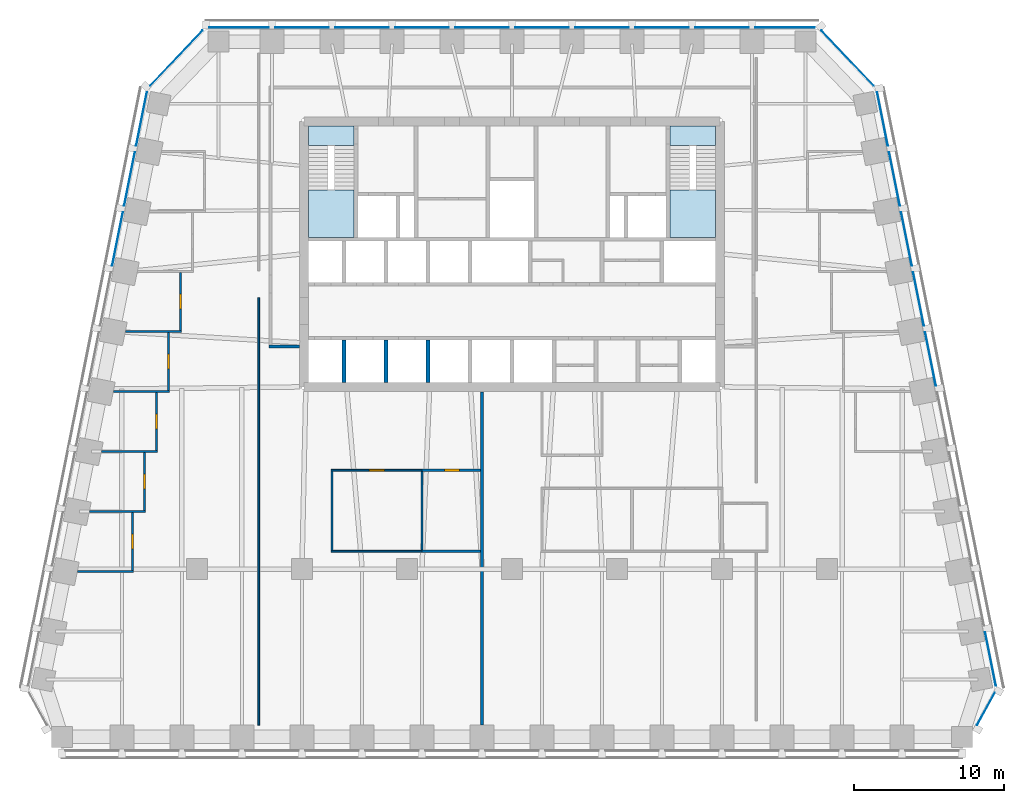
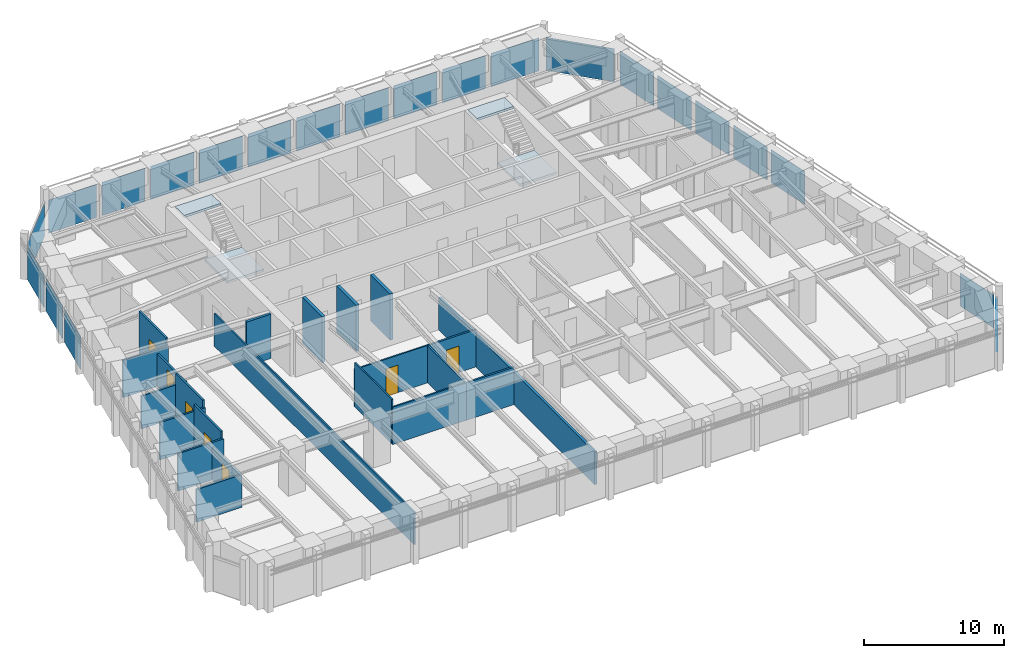
# One storey, part 5 of 10: 22 plates, 22 walls, 7 doors, 4 slabs, 7 openings, 8 elements without a shape of their own.
"""IFC4 building model written with IfcOpenShell, lengths in metres."""

from ifc_helpers import new_model, si_unit, direction, frame, frame_2d, origin, origin_2d, place, context, subcontext, project, spatial, polyline, rectangle, outline, extrude, material, layer, layer_set, type_object, element, fill, aggregate, save


model = new_model("IFC4")

# Units and contexts
model_context = context("Model", 3, precision=1e-05, world=origin(), true_north=direction((0.0, 1.0)))
body_context = subcontext(model_context, "Body", "Model", "MODEL_VIEW")
ifc_project = project(units=[si_unit("LENGTHUNIT", "METRE"), si_unit("AREAUNIT", "SQUARE_METRE"), si_unit("VOLUMEUNIT", "CUBIC_METRE"), si_unit("PLANEANGLEUNIT", "RADIAN"), si_unit("MASSUNIT", "GRAM", prefix="KILO")], contexts=[model_context])

# Site, building, storey
site_placement = place(None, origin())
site = spatial("IfcSite", under=ifc_project, at=site_placement, CompositionType="ELEMENT")
building_placement = place(site_placement, origin())
building = spatial("IfcBuilding", under=site, at=building_placement, Name="Isbrekke Arena Tower", CompositionType="ELEMENT")
storey_placement = place(building_placement, frame((0.0, 0.0, 194.0)))
storey = spatial("IfcBuildingStorey", under=building, at=storey_placement, Name="L44", CompositionType="ELEMENT", Elevation=194.0)

# Curtain wall, plate
ifc_material_1 = material(Name="Glazed aluminium curtain wall", Category="aluminium")
curtain_wall_type = type_object("IfcCurtainWallType", Name="CWH TOWER CURTAIN WALL HIGH ZONE", PredefinedType="USERDEFINED", material=ifc_material_1)
curtain_wall_1_placement = place(storey_placement, origin())
curtain_wall_1 = element("IfcCurtainWall", 1, at=curtain_wall_1_placement, inside=storey, type_object=curtain_wall_type, Name="CWH curtain wall L44-SE", ObjectType="TOWER CURTAIN WALL HIGH ZONE", PredefinedType="USERDEFINED")
ifc_material_2 = material(Name="Triple-glazed clear glass unit", Category="glass")
ifc_layer_1 = layer(ifc_material_2, 0.031982421875)
ifc_layer_set_1 = layer_set([ifc_layer_1], Name="CWH-P VISION PANEL")
plate_type = type_object("IfcPlateType", Name="CWH-P VISION PANEL", PredefinedType="CURTAIN_PANEL", material=ifc_layer_set_1)
plate_1_placement = place(storey_placement, frame((31.5908203125, -15.3154296875, 0.02001953125), z_axis=(0.0, 0.0, 1.0), x_axis=(0.481918749773, 0.876215908676, 0.0)))
plate_1 = element("IfcPlate", 2, at=plate_1_placement, type_object=plate_type, Name="CWH-P panel 1", PredefinedType="CURTAIN_PANEL", context=body_context, shape_type="SweptSolid", body=[
    extrude(rectangle(XDim=2.4423828125, YDim=0.031982421875, at=origin_2d()), origin(), (0.0, 0.0, 1.0), 2.8798828125),
])
aggregate(curtain_wall_1, [plate_1])

# Curtain wall, plates
curtain_wall_2_placement = place(storey_placement, origin())
curtain_wall_2 = element("IfcCurtainWall", 3, at=curtain_wall_2_placement, inside=storey, type_object=curtain_wall_type, Name="CWH curtain wall L44-E", ObjectType="TOWER CURTAIN WALL HIGH ZONE", PredefinedType="USERDEFINED")
plate_2_placement = place(storey_placement, frame((31.89794921875, -11.98046875, 0.02001953125), z_axis=(0.0, 0.0, 1.0), x_axis=(-0.196116135138, 0.980580675691, 0.0)))
plate_2 = element("IfcPlate", 4, at=plate_2_placement, type_object=plate_type, Name="CWH-P panel 1", PredefinedType="CURTAIN_PANEL", context=body_context, shape_type="SweptSolid", body=[
    extrude(rectangle(XDim=3.629150390625, YDim=0.031982421875, at=origin_2d()), origin(), (0.0, 0.0, 1.0), 2.8798828125),
])
plate_3_placement = place(storey_placement, frame((27.89794921875, 8.01953125, 0.02001953125), z_axis=(0.0, 0.0, 1.0), x_axis=(-0.196116135138, 0.980580675691, 0.0)))
plate_3 = element("IfcPlate", 5, at=plate_3_placement, type_object=plate_type, Name="CWH-P panel 6", PredefinedType="CURTAIN_PANEL", context=body_context, shape_type="SweptSolid", body=[
    extrude(rectangle(XDim=3.629150390625, YDim=0.031982421875, at=origin_2d()), origin(), (0.0, 0.0, 1.0), 2.8798828125),
])
plate_4_placement = place(storey_placement, frame((27.09814453125, 12.01953125, 0.02001953125), z_axis=(0.0, 0.0, 1.0), x_axis=(-0.196116135138, 0.980580675691, 0.0)))
plate_4 = element("IfcPlate", 6, at=plate_4_placement, type_object=plate_type, Name="CWH-P panel 7", PredefinedType="CURTAIN_PANEL", context=body_context, shape_type="SweptSolid", body=[
    extrude(rectangle(XDim=3.629150390625, YDim=0.031982421875, at=origin_2d()), origin(), (0.0, 0.0, 1.0), 2.8798828125),
])
plate_5_placement = place(storey_placement, frame((26.298095703125, 16.01953125, 0.02001953125), z_axis=(0.0, 0.0, 1.0), x_axis=(-0.196116135138, 0.980580675691, 0.0)))
plate_5 = element("IfcPlate", 7, at=plate_5_placement, type_object=plate_type, Name="CWH-P panel 8", PredefinedType="CURTAIN_PANEL", context=body_context, shape_type="SweptSolid", body=[
    extrude(rectangle(XDim=3.629150390625, YDim=0.031982421875, at=origin_2d()), origin(), (0.0, 0.0, 1.0), 2.8798828125),
])
plate_6_placement = place(storey_placement, frame((25.498046875, 20.01953125, 0.02001953125), z_axis=(0.0, 0.0, 1.0), x_axis=(-0.196116135138, 0.980580675691, 0.0)))
plate_6 = element("IfcPlate", 8, at=plate_6_placement, type_object=plate_type, Name="CWH-P panel 9", PredefinedType="CURTAIN_PANEL", context=body_context, shape_type="SweptSolid", body=[
    extrude(rectangle(XDim=3.629150390625, YDim=0.031982421875, at=origin_2d()), origin(), (0.0, 0.0, 1.0), 2.8798828125),
])
plate_7_placement = place(storey_placement, frame((24.697998046875, 24.01953125, 0.02001953125), z_axis=(0.0, 0.0, 1.0), x_axis=(-0.196116135138, 0.980580675691, 0.0)))
plate_7 = element("IfcPlate", 9, at=plate_7_placement, type_object=plate_type, Name="CWH-P panel 10", PredefinedType="CURTAIN_PANEL", context=body_context, shape_type="SweptSolid", body=[
    extrude(rectangle(XDim=3.629150390625, YDim=0.031982421875, at=origin_2d()), origin(), (0.0, 0.0, 1.0), 2.8798828125),
])
aggregate(curtain_wall_2, [plate_2, plate_3, plate_4, plate_5, plate_6, plate_7])

# Curtain wall, plate
curtain_wall_3_placement = place(storey_placement, origin())
curtain_wall_3 = element("IfcCurtainWall", 10, at=curtain_wall_3_placement, inside=storey, type_object=curtain_wall_type, Name="CWH curtain wall L44-EN", ObjectType="TOWER CURTAIN WALL HIGH ZONE", PredefinedType="USERDEFINED")
plate_8_placement = place(storey_placement, frame((22.37255859375, 28.06884765625, 0.02001953125), z_axis=(0.0, 0.0, 1.0), x_axis=(-0.68874946192, 0.72499943359, 0.0)))
plate_8 = element("IfcPlate", 11, at=plate_8_placement, type_object=plate_type, Name="CWH-P panel 1", PredefinedType="CURTAIN_PANEL", context=body_context, shape_type="SweptSolid", body=[
    extrude(rectangle(XDim=5.067138671875, YDim=0.031982421875, at=origin_2d()), origin(), (0.0, 0.0, 1.0), 2.8798828125),
])
aggregate(curtain_wall_3, [plate_8])

# Curtain wall, plates
curtain_wall_4_placement = place(storey_placement, origin())
curtain_wall_4 = element("IfcCurtainWall", 12, at=curtain_wall_4_placement, inside=storey, type_object=curtain_wall_type, Name="CWH curtain wall L44-N", ObjectType="TOWER CURTAIN WALL HIGH ZONE", PredefinedType="USERDEFINED")
plate_9_placement = place(storey_placement, frame((18.199951171875, 30.10009765625, 0.02001953125), z_axis=(0.0, 0.0, 1.0), x_axis=(-1.0, 0.0, 0.0)))
plate_9 = element("IfcPlate", 13, at=plate_9_placement, type_object=plate_type, Name="CWH-P panel 1", PredefinedType="CURTAIN_PANEL", context=body_context, shape_type="SweptSolid", body=[
    extrude(rectangle(XDim=3.949951171875, YDim=0.031982421875, at=origin_2d()), origin(), (0.0, 0.0, 1.0), 2.8798828125),
])
plate_10_placement = place(storey_placement, frame((14.0, 30.10009765625, 0.02001953125), z_axis=(0.0, 0.0, 1.0), x_axis=(-1.0, 0.0, 0.0)))
plate_10 = element("IfcPlate", 14, at=plate_10_placement, type_object=plate_type, Name="CWH-P panel 2", PredefinedType="CURTAIN_PANEL", context=body_context, shape_type="SweptSolid", body=[
    extrude(rectangle(XDim=3.550048828125, YDim=0.031982421875, at=origin_2d()), origin(), (0.0, 0.0, 1.0), 2.8798828125),
])
plate_11_placement = place(storey_placement, frame((10.0, 30.10009765625, 0.02001953125), z_axis=(0.0, 0.0, 1.0), x_axis=(-1.0, 0.0, 0.0)))
plate_11 = element("IfcPlate", 15, at=plate_11_placement, type_object=plate_type, Name="CWH-P panel 3", PredefinedType="CURTAIN_PANEL", context=body_context, shape_type="SweptSolid", body=[
    extrude(rectangle(XDim=3.550048828125, YDim=0.031982421875, at=origin_2d()), origin(), (0.0, 0.0, 1.0), 2.8798828125),
])
plate_12_placement = place(storey_placement, frame((6.0, 30.10009765625, 0.02001953125), z_axis=(0.0, 0.0, 1.0), x_axis=(-1.0, 0.0, 0.0)))
plate_12 = element("IfcPlate", 16, at=plate_12_placement, type_object=plate_type, Name="CWH-P panel 4", PredefinedType="CURTAIN_PANEL", context=body_context, shape_type="SweptSolid", body=[
    extrude(rectangle(XDim=3.550048828125, YDim=0.031982421875, at=origin_2d()), origin(), (0.0, 0.0, 1.0), 2.8798828125),
])
plate_13_placement = place(storey_placement, frame((2.0, 30.10009765625, 0.02001953125), z_axis=(0.0, 0.0, 1.0), x_axis=(-1.0, 0.0, 0.0)))
plate_13 = element("IfcPlate", 17, at=plate_13_placement, type_object=plate_type, Name="CWH-P panel 5", PredefinedType="CURTAIN_PANEL", context=body_context, shape_type="SweptSolid", body=[
    extrude(rectangle(XDim=3.550048828125, YDim=0.031982421875, at=origin_2d()), origin(), (0.0, 0.0, 1.0), 2.8798828125),
])
plate_14_placement = place(storey_placement, frame((-2.0, 30.10009765625, 0.02001953125), z_axis=(0.0, 0.0, 1.0), x_axis=(-1.0, 0.0, 0.0)))
plate_14 = element("IfcPlate", 18, at=plate_14_placement, type_object=plate_type, Name="CWH-P panel 6", PredefinedType="CURTAIN_PANEL", context=body_context, shape_type="SweptSolid", body=[
    extrude(rectangle(XDim=3.550048828125, YDim=0.031982421875, at=origin_2d()), origin(), (0.0, 0.0, 1.0), 2.8798828125),
])
plate_15_placement = place(storey_placement, frame((-6.0, 30.10009765625, 0.02001953125), z_axis=(0.0, 0.0, 1.0), x_axis=(-1.0, 0.0, 0.0)))
plate_15 = element("IfcPlate", 19, at=plate_15_placement, type_object=plate_type, Name="CWH-P panel 7", PredefinedType="CURTAIN_PANEL", context=body_context, shape_type="SweptSolid", body=[
    extrude(rectangle(XDim=3.550048828125, YDim=0.031982421875, at=origin_2d()), origin(), (0.0, 0.0, 1.0), 2.8798828125),
])
plate_16_placement = place(storey_placement, frame((-10.0, 30.10009765625, 0.02001953125), z_axis=(0.0, 0.0, 1.0), x_axis=(-1.0, 0.0, 0.0)))
plate_16 = element("IfcPlate", 20, at=plate_16_placement, type_object=plate_type, Name="CWH-P panel 8", PredefinedType="CURTAIN_PANEL", context=body_context, shape_type="SweptSolid", body=[
    extrude(rectangle(XDim=3.550048828125, YDim=0.031982421875, at=origin_2d()), origin(), (0.0, 0.0, 1.0), 2.8798828125),
])
plate_17_placement = place(storey_placement, frame((-14.0, 30.10009765625, 0.02001953125), z_axis=(0.0, 0.0, 1.0), x_axis=(-1.0, 0.0, 0.0)))
plate_17 = element("IfcPlate", 21, at=plate_17_placement, type_object=plate_type, Name="CWH-P panel 9", PredefinedType="CURTAIN_PANEL", context=body_context, shape_type="SweptSolid", body=[
    extrude(rectangle(XDim=3.550048828125, YDim=0.031982421875, at=origin_2d()), origin(), (0.0, 0.0, 1.0), 2.8798828125),
])
plate_18_placement = place(storey_placement, frame((-18.199951171875, 30.10009765625, 0.02001953125), z_axis=(0.0, 0.0, 1.0), x_axis=(-1.0, 0.0, 0.0)))
plate_18 = element("IfcPlate", 22, at=plate_18_placement, type_object=plate_type, Name="CWH-P panel 10", PredefinedType="CURTAIN_PANEL", context=body_context, shape_type="SweptSolid", body=[
    extrude(rectangle(XDim=3.949951171875, YDim=0.031982421875, at=origin_2d()), origin(), (0.0, 0.0, 1.0), 2.8798828125),
])
aggregate(curtain_wall_4, [plate_9, plate_10, plate_11, plate_12, plate_13, plate_14, plate_15, plate_16, plate_17, plate_18])

# Curtain wall, plate
curtain_wall_5_placement = place(storey_placement, origin())
curtain_wall_5 = element("IfcCurtainWall", 23, at=curtain_wall_5_placement, inside=storey, type_object=curtain_wall_type, Name="CWH curtain wall L44-NW", ObjectType="TOWER CURTAIN WALL HIGH ZONE", PredefinedType="USERDEFINED")
plate_19_placement = place(storey_placement, frame((-22.37255859375, 28.06884765625, 0.02001953125), z_axis=(0.0, 0.0, 1.0), x_axis=(-0.68874946192, -0.72499943359, 0.0)))
plate_19 = element("IfcPlate", 24, at=plate_19_placement, type_object=plate_type, Name="CWH-P panel 1", PredefinedType="CURTAIN_PANEL", context=body_context, shape_type="SweptSolid", body=[
    extrude(rectangle(XDim=5.067138671875, YDim=0.031982421875, at=origin_2d()), origin(), (0.0, 0.0, 1.0), 2.8798828125),
])
aggregate(curtain_wall_5, [plate_19])

# Curtain wall, plates
curtain_wall_6_placement = place(storey_placement, origin())
curtain_wall_6 = element("IfcCurtainWall", 25, at=curtain_wall_6_placement, inside=storey, type_object=curtain_wall_type, Name="CWH curtain wall L44-W", ObjectType="TOWER CURTAIN WALL HIGH ZONE", PredefinedType="USERDEFINED")
plate_20_placement = place(storey_placement, frame((-24.697998046875, 24.01953125, 0.02001953125), z_axis=(0.0, 0.0, 1.0), x_axis=(-0.196116135138, -0.980580675691, 0.0)))
plate_20 = element("IfcPlate", 26, at=plate_20_placement, type_object=plate_type, Name="CWH-P panel 1", PredefinedType="CURTAIN_PANEL", context=body_context, shape_type="SweptSolid", body=[
    extrude(rectangle(XDim=3.629150390625, YDim=0.031982421875, at=origin_2d()), origin(), (0.0, 0.0, 1.0), 2.8798828125),
])
plate_21_placement = place(storey_placement, frame((-25.498046875, 20.01953125, 0.02001953125), z_axis=(0.0, 0.0, 1.0), x_axis=(-0.196116135138, -0.980580675691, 0.0)))
plate_21 = element("IfcPlate", 27, at=plate_21_placement, type_object=plate_type, Name="CWH-P panel 2", PredefinedType="CURTAIN_PANEL", context=body_context, shape_type="SweptSolid", body=[
    extrude(rectangle(XDim=3.629150390625, YDim=0.031982421875, at=origin_2d()), origin(), (0.0, 0.0, 1.0), 2.8798828125),
])
plate_22_placement = place(storey_placement, frame((-26.298095703125, 16.01953125, 0.02001953125), z_axis=(0.0, 0.0, 1.0), x_axis=(-0.196116135138, -0.980580675691, 0.0)))
plate_22 = element("IfcPlate", 28, at=plate_22_placement, type_object=plate_type, Name="CWH-P panel 3", PredefinedType="CURTAIN_PANEL", context=body_context, shape_type="SweptSolid", body=[
    extrude(rectangle(XDim=3.629150390625, YDim=0.031982421875, at=origin_2d()), origin(), (0.0, 0.0, 1.0), 2.8798828125),
])
aggregate(curtain_wall_6, [plate_20, plate_21, plate_22])

# Stair, slabs
ifc_material_3 = material(Name="Concrete B45 (C45/55) precast", Category="concrete")
stair_type = type_object("IfcStairType", Name="ST40 STAIR 1300 WIDE, 24 RISERS 167", PredefinedType="HALF_TURN_STAIR", material=ifc_material_3)
stair_1_placement = place(storey_placement, origin())
stair_1 = element("IfcStair", 29, at=stair_1_placement, inside=storey, type_object=stair_type, Name="ST1 stair L44", PredefinedType="HALF_TURN_STAIR")
ifc_material_4 = material(Name="Concrete B35 (C35/45)", Category="concrete")
ifc_layer_2 = layer(ifc_material_4, 0.199951171875)
ifc_layer_set_2 = layer_set([ifc_layer_2], Name="SL1 STAIR LANDING 200")
slab_type = type_object("IfcSlabType", Name="SL1 STAIR LANDING 200", PredefinedType="LANDING", material=ifc_layer_set_2)
slab_1_placement = place(storey_placement, frame((0.0, 0.0, 1.800048828125)))
slab_1 = element("IfcSlab", 30, at=slab_1_placement, type_object=slab_type, Name="ST1 landing 1", PredefinedType="LANDING", context=body_context, shape_type="SweptSolid", body=[
    extrude(outline(polyline([(-13.550048828125, 16.125), (-10.52490234375, 16.125), (-10.52490234375, 19.280029296875), (-13.550048828125, 19.280029296875), (-13.550048828125, 16.125)])), origin(), (0.0, 0.0, 1.0), 0.199951171875),
])
slab_2_placement = place(storey_placement, frame((0.0, 0.0, 3.800048828125)))
slab_2 = element("IfcSlab", 31, at=slab_2_placement, type_object=slab_type, Name="ST1 landing 2", PredefinedType="LANDING", context=body_context, shape_type="SweptSolid", body=[
    extrude(outline(polyline([(-13.550048828125, 22.25), (-10.52490234375, 22.25), (-10.52490234375, 23.550048828125), (-13.550048828125, 23.550048828125), (-13.550048828125, 22.25)])), origin(), (0.0, 0.0, 1.0), 0.199951171875),
])
aggregate(stair_1, [slab_1, slab_2])

stair_2_placement = place(storey_placement, origin())
stair_2 = element("IfcStair", 32, at=stair_2_placement, inside=storey, type_object=stair_type, Name="ST2 stair L44", PredefinedType="HALF_TURN_STAIR")
slab_3_placement = place(storey_placement, frame((0.0, 0.0, 1.800048828125)))
slab_3 = element("IfcSlab", 33, at=slab_3_placement, type_object=slab_type, Name="ST2 landing 1", PredefinedType="LANDING", context=body_context, shape_type="SweptSolid", body=[
    extrude(outline(polyline([(10.52490234375, 16.125), (13.550048828125, 16.125), (13.550048828125, 19.280029296875), (10.52490234375, 19.280029296875), (10.52490234375, 16.125)])), origin(), (0.0, 0.0, 1.0), 0.199951171875),
])
slab_4_placement = place(storey_placement, frame((0.0, 0.0, 3.800048828125)))
slab_4 = element("IfcSlab", 34, at=slab_4_placement, type_object=slab_type, Name="ST2 landing 2", PredefinedType="LANDING", context=body_context, shape_type="SweptSolid", body=[
    extrude(outline(polyline([(10.52490234375, 22.25), (13.550048828125, 22.25), (13.550048828125, 23.550048828125), (10.52490234375, 23.550048828125), (10.52490234375, 22.25)])), origin(), (0.0, 0.0, 1.0), 0.199951171875),
])
aggregate(stair_2, [slab_3, slab_4])

# Walls
ifc_material_5 = material(Name="Concrete B45 (C45/55)", Category="concrete")
ifc_layer_3 = layer(ifc_material_5, 0.25)
ifc_layer_set_3 = layer_set([ifc_layer_3], Name="CW6 SHAFT WALL 250")
wall_type_1 = type_object("IfcWallType", Name="CW6 SHAFT WALL 250", PredefinedType="SHEAR", material=ifc_layer_set_3)
for number, where, z_axis, x_axis, name in (
    (35, (-11.199951171875, 6.449951171875, 0.0), (0.0, 0.0, 1.0), (0.0, 1.0, 0.0), "Core wall SS01 L44"),
    (36, (-8.39990234375, 6.449951171875, 0.0), (0.0, 0.0, 1.0), (0.0, 1.0, 0.0), "Core wall SS02 L44"),
    (37, (-5.60009765625, 6.449951171875, 0.0), (0.0, 0.0, 1.0), (0.0, 1.0, 0.0), "Core wall SS03 L44"),
):
    element("IfcWall", number, at=place(storey_placement, frame(where, z_axis=z_axis, x_axis=x_axis)), inside=storey, type_object=wall_type_1, Name=name, PredefinedType="SHEAR", context=body_context, shape_type="SweptSolid", body=[
        extrude(rectangle(XDim=2.824951171875, YDim=0.25, at=frame_2d((1.41259765625, 0.0))), origin(), (0.0, 0.0, 1.0), 4.0),
    ])
ifc_material_6 = material(Name="Gypsum board partition on steel studs", Category="steel")
ifc_layer_4 = layer(ifc_material_6, 0.14990234375)
ifc_layer_set_4 = layer_set([ifc_layer_4], Name="IW1 PARTITION 150")
wall_type_2 = type_object("IfcWallType", Name="IW1 PARTITION 150", PredefinedType="PARTITIONING", material=ifc_layer_set_4)
wall_1_placement = place(storey_placement, frame((-28.974853515625, -6.159912109375, 0.0), z_axis=(0.0, 0.0, 1.0), x_axis=(1.0, 0.0, 0.0)))
element("IfcWall", 38, at=wall_1_placement, inside=storey, type_object=wall_type_2, Name="IW1 partition 150 L44", PredefinedType="PARTITIONING", context=body_context, shape_type="SweptSolid", body=[
    extrude(rectangle(XDim=3.749755859375, YDim=0.14990234375, at=frame_2d((1.875, 0.0))), origin(), (0.0, 0.0, 1.0), 2.842041015625),
])
wall_2_placement = place(storey_placement, frame((-6.0, -4.800048828125, 0.0), z_axis=(0.0, 0.0, 1.0), x_axis=(1.0, 0.0, 0.0)))
element("IfcWall", 39, at=wall_2_placement, inside=storey, type_object=wall_type_2, Name="IW1 partition 150 L44", PredefinedType="PARTITIONING", context=body_context, shape_type="SweptSolid", body=[
    extrude(rectangle(XDim=3.89990234375, YDim=0.14990234375, at=frame_2d((1.949951171875, 0.0))), origin(), (0.0, 0.0, 1.0), 3.25),
])
wall_3_placement = place(storey_placement, frame((-28.1748046875, -2.159912109375, 0.0), z_axis=(0.0, 0.0, 1.0), x_axis=(1.0, 0.0, 0.0)))
element("IfcWall", 40, at=wall_3_placement, inside=storey, type_object=wall_type_2, Name="IW1 partition 150 L44", PredefinedType="PARTITIONING", context=body_context, shape_type="SweptSolid", body=[
    extrude(rectangle(XDim=3.749755859375, YDim=0.14990234375, at=frame_2d((1.875, 0.0))), origin(), (0.0, 0.0, 1.0), 3.25),
])

# Wall, opening, door
wall_4_placement = place(storey_placement, frame((-6.0, 0.60009765625, 0.0), z_axis=(0.0, 0.0, 1.0), x_axis=(1.0, 0.0, 0.0)))
wall_4 = element("IfcWall", 41, at=wall_4_placement, inside=storey, type_object=wall_type_2, Name="IW1 partition 150 L44", PredefinedType="PARTITIONING", context=body_context, shape_type="SweptSolid", body=[
    extrude(rectangle(XDim=3.89990234375, YDim=0.14990234375, at=frame_2d((1.949951171875, 0.0))), origin(), (0.0, 0.0, 1.0), 3.25),
])
opening_1_placement = place(wall_4_placement, frame((1.5, 0.0, 0.0)))
opening_1 = element("IfcOpeningElement", 42, at=opening_1_placement, cuts=wall_4, Name="Opening D10", PredefinedType="OPENING", context=body_context, shape_type="SweptSolid", body=[
    extrude(rectangle(XDim=1.0, YDim=2.300048828125, at=frame_2d((0.5, 1.14990234375))), frame((0.0, 0.08984375, 0.0), z_axis=(0.0, -1.0, 0.0), x_axis=(1.0, 0.0, 0.0)), (0.0, 0.0, 1.0), 0.1796875),
])
ifc_material_7 = material(Name="Timber door", Category="wood")
door_type_1 = type_object("IfcDoorType", Name="D10 OFFICE DOOR 1000 x 2300", OperationType="SINGLE_SWING_LEFT", PredefinedType="DOOR", material=ifc_material_7)
door_1_placement = place(opening_1_placement, origin())
door_1 = element("IfcDoor", 43, at=door_1_placement, inside=storey, type_object=door_type_1, Name="D10 pantry door L44", OperationType="SINGLE_SWING_LEFT", OverallHeight=2.300048828125, OverallWidth=1.0, PredefinedType="DOOR", context=body_context, shape_type="SweptSolid", body=[
    extrude(rectangle(XDim=1.0, YDim=2.300048828125, at=frame_2d((0.5, 1.14990234375))), frame((0.0, 0.07470703125, 0.0), z_axis=(0.0, -1.0, 0.0), x_axis=(1.0, 0.0, 0.0)), (0.0, 0.0, 1.0), 0.1494140625),
])
fill(opening_1, door_1)

# Walls
wall_5_placement = place(storey_placement, frame((-27.374755859375, 1.840087890625, 0.0), z_axis=(0.0, 0.0, 1.0), x_axis=(1.0, 0.0, 0.0)))
element("IfcWall", 44, at=wall_5_placement, inside=storey, type_object=wall_type_2, Name="IW1 partition 150 L44", PredefinedType="PARTITIONING", context=body_context, shape_type="SweptSolid", body=[
    extrude(rectangle(XDim=3.749755859375, YDim=0.14990234375, at=frame_2d((1.875, 0.0))), origin(), (0.0, 0.0, 1.0), 3.25),
])
wall_6_placement = place(storey_placement, frame((-26.57470703125, 5.840087890625, 0.0), z_axis=(0.0, 0.0, 1.0), x_axis=(1.0, 0.0, 0.0)))
element("IfcWall", 45, at=wall_6_placement, inside=storey, type_object=wall_type_2, Name="IW1 partition 150 L44", PredefinedType="PARTITIONING", context=body_context, shape_type="SweptSolid", body=[
    extrude(rectangle(XDim=3.749755859375, YDim=0.14990234375, at=frame_2d((1.875, 0.0))), origin(), (0.0, 0.0, 1.0), 2.842041015625),
])
wall_7_placement = place(storey_placement, frame((-25.77490234375, 9.840087890625, 0.0), z_axis=(0.0, 0.0, 1.0), x_axis=(1.0, 0.0, 0.0)))
element("IfcWall", 46, at=wall_7_placement, inside=storey, type_object=wall_type_2, Name="IW1 partition 150 L44", PredefinedType="PARTITIONING", context=body_context, shape_type="SweptSolid", body=[
    extrude(rectangle(XDim=3.75, YDim=0.14990234375, at=frame_2d((1.875, 0.0))), origin(), (0.0, 0.0, 1.0), 3.25),
])

# Wall, opening, door
wall_8_placement = place(storey_placement, frame((-25.300048828125, -6.0849609375, 0.0), z_axis=(0.0, 0.0, 1.0), x_axis=(0.0, 1.0, 0.0)))
wall_8 = element("IfcWall", 47, at=wall_8_placement, inside=storey, type_object=wall_type_2, Name="IW1 partition 150 L44", PredefinedType="PARTITIONING", context=body_context, shape_type="SweptSolid", body=[
    extrude(rectangle(XDim=3.849853515625, YDim=0.14990234375, at=frame_2d((1.9248046875, 0.0))), origin(), (0.0, 0.0, 1.0), 2.842041015625),
])
opening_2_placement = place(wall_8_placement, frame((1.425048828125, 0.0, 0.0)))
opening_2 = element("IfcOpeningElement", 48, at=opening_2_placement, cuts=wall_8, Name="Opening D10", PredefinedType="OPENING", context=body_context, shape_type="SweptSolid", body=[
    extrude(rectangle(XDim=1.0, YDim=2.300048828125, at=frame_2d((0.5, 1.14990234375))), frame((0.0, 0.08984375, 0.0), z_axis=(0.0, -1.0, 0.0), x_axis=(1.0, 0.0, 0.0)), (0.0, 0.0, 1.0), 0.1796875),
])
door_2_placement = place(opening_2_placement, origin())
door_2 = element("IfcDoor", 49, at=door_2_placement, inside=storey, type_object=door_type_1, Name="D10 office door L44", OperationType="SINGLE_SWING_LEFT", OverallHeight=2.300048828125, OverallWidth=1.0, PredefinedType="DOOR", context=body_context, shape_type="SweptSolid", body=[
    extrude(rectangle(XDim=1.0, YDim=2.300048828125, at=frame_2d((0.5, 1.14990234375))), frame((0.0, 0.07470703125, 0.0), z_axis=(0.0, -1.0, 0.0), x_axis=(1.0, 0.0, 0.0)), (0.0, 0.0, 1.0), 0.1494140625),
])
fill(opening_2, door_2)

wall_9_placement = place(storey_placement, frame((-24.5, -2.0849609375, 0.0), z_axis=(0.0, 0.0, 1.0), x_axis=(0.0, 1.0, 0.0)))
wall_9 = element("IfcWall", 50, at=wall_9_placement, inside=storey, type_object=wall_type_2, Name="IW1 partition 150 L44", PredefinedType="PARTITIONING", context=body_context, shape_type="SweptSolid", body=[
    extrude(rectangle(XDim=3.849853515625, YDim=0.14990234375, at=frame_2d((1.9248046875, 0.0))), origin(), (0.0, 0.0, 1.0), 3.85009765625),
])
opening_3_placement = place(wall_9_placement, frame((1.425048828125, 0.0, 0.0)))
opening_3 = element("IfcOpeningElement", 51, at=opening_3_placement, cuts=wall_9, Name="Opening D10", PredefinedType="OPENING", context=body_context, shape_type="SweptSolid", body=[
    extrude(rectangle(XDim=1.0, YDim=2.300048828125, at=frame_2d((0.5, 1.14990234375))), frame((0.0, 0.08984375, 0.0), z_axis=(0.0, -1.0, 0.0), x_axis=(1.0, 0.0, 0.0)), (0.0, 0.0, 1.0), 0.1796875),
])
door_3_placement = place(opening_3_placement, origin())
door_3 = element("IfcDoor", 52, at=door_3_placement, inside=storey, type_object=door_type_1, Name="D10 office door L44", OperationType="SINGLE_SWING_LEFT", OverallHeight=2.300048828125, OverallWidth=1.0, PredefinedType="DOOR", context=body_context, shape_type="SweptSolid", body=[
    extrude(rectangle(XDim=1.0, YDim=2.300048828125, at=frame_2d((0.5, 1.14990234375))), frame((0.0, 0.07470703125, 0.0), z_axis=(0.0, -1.0, 0.0), x_axis=(1.0, 0.0, 0.0)), (0.0, 0.0, 1.0), 0.1494140625),
])
fill(opening_3, door_3)

wall_10_placement = place(storey_placement, frame((-23.699951171875, 1.9150390625, 0.0), z_axis=(0.0, 0.0, 1.0), x_axis=(0.0, 1.0, 0.0)))
wall_10 = element("IfcWall", 53, at=wall_10_placement, inside=storey, type_object=wall_type_2, Name="IW1 partition 150 L44", PredefinedType="PARTITIONING", context=body_context, shape_type="SweptSolid", body=[
    extrude(rectangle(XDim=3.849853515625, YDim=0.14990234375, at=frame_2d((1.9248046875, 0.0))), origin(), (0.0, 0.0, 1.0), 3.85009765625),
])
opening_4_placement = place(wall_10_placement, frame((1.425048828125, 0.0, 0.0)))
opening_4 = element("IfcOpeningElement", 54, at=opening_4_placement, cuts=wall_10, Name="Opening D10", PredefinedType="OPENING", context=body_context, shape_type="SweptSolid", body=[
    extrude(rectangle(XDim=1.0, YDim=2.300048828125, at=frame_2d((0.5, 1.14990234375))), frame((0.0, 0.08984375, 0.0), z_axis=(0.0, -1.0, 0.0), x_axis=(1.0, 0.0, 0.0)), (0.0, 0.0, 1.0), 0.1796875),
])
door_4_placement = place(opening_4_placement, origin())
door_4 = element("IfcDoor", 55, at=door_4_placement, inside=storey, type_object=door_type_1, Name="D10 office door L44", OperationType="SINGLE_SWING_LEFT", OverallHeight=2.300048828125, OverallWidth=1.0, PredefinedType="DOOR", context=body_context, shape_type="SweptSolid", body=[
    extrude(rectangle(XDim=1.0, YDim=2.300048828125, at=frame_2d((0.5, 1.14990234375))), frame((0.0, 0.07470703125, 0.0), z_axis=(0.0, -1.0, 0.0), x_axis=(1.0, 0.0, 0.0)), (0.0, 0.0, 1.0), 0.1494140625),
])
fill(opening_4, door_4)

wall_11_placement = place(storey_placement, frame((-22.89990234375, 5.9150390625, 0.0), z_axis=(0.0, 0.0, 1.0), x_axis=(0.0, 1.0, 0.0)))
wall_11 = element("IfcWall", 56, at=wall_11_placement, inside=storey, type_object=wall_type_2, Name="IW1 partition 150 L44", PredefinedType="PARTITIONING", context=body_context, shape_type="SweptSolid", body=[
    extrude(rectangle(XDim=3.849853515625, YDim=0.14990234375, at=frame_2d((1.9248046875, 0.0))), origin(), (0.0, 0.0, 1.0), 2.842041015625),
])
opening_5_placement = place(wall_11_placement, frame((1.425048828125, 0.0, 0.0)))
opening_5 = element("IfcOpeningElement", 57, at=opening_5_placement, cuts=wall_11, Name="Opening D10", PredefinedType="OPENING", context=body_context, shape_type="SweptSolid", body=[
    extrude(rectangle(XDim=1.0, YDim=2.300048828125, at=frame_2d((0.5, 1.14990234375))), frame((0.0, 0.08984375, 0.0), z_axis=(0.0, -1.0, 0.0), x_axis=(1.0, 0.0, 0.0)), (0.0, 0.0, 1.0), 0.1796875),
])
door_5_placement = place(opening_5_placement, origin())
door_5 = element("IfcDoor", 58, at=door_5_placement, inside=storey, type_object=door_type_1, Name="D10 office door L44", OperationType="SINGLE_SWING_LEFT", OverallHeight=2.300048828125, OverallWidth=1.0, PredefinedType="DOOR", context=body_context, shape_type="SweptSolid", body=[
    extrude(rectangle(XDim=1.0, YDim=2.300048828125, at=frame_2d((0.5, 1.14990234375))), frame((0.0, 0.07470703125, 0.0), z_axis=(0.0, -1.0, 0.0), x_axis=(1.0, 0.0, 0.0)), (0.0, 0.0, 1.0), 0.1494140625),
])
fill(opening_5, door_5)

wall_12_placement = place(storey_placement, frame((-22.10009765625, 9.9150390625, 0.0), z_axis=(0.0, 0.0, 1.0), x_axis=(0.0, 1.0, 0.0)))
wall_12 = element("IfcWall", 59, at=wall_12_placement, inside=storey, type_object=wall_type_2, Name="IW1 partition 150 L44", PredefinedType="PARTITIONING", context=body_context, shape_type="SweptSolid", body=[
    extrude(rectangle(XDim=3.849853515625, YDim=0.14990234375, at=frame_2d((1.9248046875, 0.0))), origin(), (0.0, 0.0, 1.0), 3.85009765625),
])
opening_6_placement = place(wall_12_placement, frame((1.425048828125, 0.0, 0.0)))
opening_6 = element("IfcOpeningElement", 60, at=opening_6_placement, cuts=wall_12, Name="Opening D10", PredefinedType="OPENING", context=body_context, shape_type="SweptSolid", body=[
    extrude(rectangle(XDim=1.0, YDim=2.300048828125, at=frame_2d((0.5, 1.14990234375))), frame((0.0, 0.08984375, 0.0), z_axis=(0.0, -1.0, 0.0), x_axis=(1.0, 0.0, 0.0)), (0.0, 0.0, 1.0), 0.1796875),
])
door_6_placement = place(opening_6_placement, origin())
door_6 = element("IfcDoor", 61, at=door_6_placement, inside=storey, type_object=door_type_1, Name="D10 office door L44", OperationType="SINGLE_SWING_LEFT", OverallHeight=2.300048828125, OverallWidth=1.0, PredefinedType="DOOR", context=body_context, shape_type="SweptSolid", body=[
    extrude(rectangle(XDim=1.0, YDim=2.300048828125, at=frame_2d((0.5, 1.14990234375))), frame((0.0, 0.07470703125, 0.0), z_axis=(0.0, -1.0, 0.0), x_axis=(1.0, 0.0, 0.0)), (0.0, 0.0, 1.0), 0.1494140625),
])
fill(opening_6, door_6)

# Walls
wall_13_placement = place(storey_placement, frame((-6.0, -4.72509765625, 0.0), z_axis=(0.0, 0.0, 1.0), x_axis=(0.0, 1.0, 0.0)))
element("IfcWall", 62, at=wall_13_placement, inside=storey, type_object=wall_type_2, Name="IW1 partition 150 L44", PredefinedType="PARTITIONING", context=body_context, shape_type="SweptSolid", body=[
    extrude(rectangle(XDim=5.25, YDim=0.14990234375, at=frame_2d((2.625, 0.0))), origin(), (0.0, 0.0, 1.0), 3.25),
])
ifc_material_8 = material(Name="Frameless glazed partition, laminated acoustic glass", Category="glass")
ifc_layer_5 = layer(ifc_material_8, 0.1201171875)
ifc_layer_set_5 = layer_set([ifc_layer_5], Name="IW2 GLAZED PARTITION 120")
wall_type_3 = type_object("IfcWallType", Name="IW2 GLAZED PARTITION 120", PredefinedType="PARTITIONING", material=ifc_layer_set_5)
wall_14_placement = place(storey_placement, frame((-12.06005859375, -4.800048828125, 0.0), z_axis=(0.0, 0.0, 1.0), x_axis=(1.0, 0.0, 0.0)))
element("IfcWall", 63, at=wall_14_placement, inside=storey, type_object=wall_type_3, Name="IW2 glazed partition 120 L44", PredefinedType="PARTITIONING", context=body_context, shape_type="SweptSolid", body=[
    extrude(rectangle(XDim=6.06005859375, YDim=0.1201171875, at=frame_2d((3.030029296875, 0.0))), origin(), (0.0, 0.0, 1.0), 3.25),
])

# Wall, opening, door
wall_15_placement = place(storey_placement, frame((-12.06005859375, 0.60009765625, 0.0), z_axis=(0.0, 0.0, 1.0), x_axis=(1.0, 0.0, 0.0)))
wall_15 = element("IfcWall", 64, at=wall_15_placement, inside=storey, type_object=wall_type_3, Name="IW2 glazed partition 120 L44", PredefinedType="PARTITIONING", context=body_context, shape_type="SweptSolid", body=[
    extrude(rectangle(XDim=6.06005859375, YDim=0.1201171875, at=frame_2d((3.030029296875, 0.0))), origin(), (0.0, 0.0, 1.0), 3.25),
])
opening_7_placement = place(wall_15_placement, frame((2.56005859375, 0.0, 0.0)))
opening_7 = element("IfcOpeningElement", 65, at=opening_7_placement, cuts=wall_15, Name="Opening D11", PredefinedType="OPENING", context=body_context, shape_type="SweptSolid", body=[
    extrude(rectangle(XDim=1.0, YDim=2.39990234375, at=frame_2d((0.5, 1.199951171875))), frame((0.0, 0.074951171875, 0.0), z_axis=(0.0, -1.0, 0.0), x_axis=(1.0, 0.0, 0.0)), (0.0, 0.0, 1.0), 0.14990234375),
])
ifc_material_9 = material(Name="Frameless glazed door", Category="glass")
door_type_2 = type_object("IfcDoorType", Name="D11 GLAZED MEETING ROOM DOOR 1000 x 2400", OperationType="SINGLE_SWING_RIGHT", PredefinedType="DOOR", material=ifc_material_9)
door_7_placement = place(opening_7_placement, origin())
door_7 = element("IfcDoor", 66, at=door_7_placement, inside=storey, type_object=door_type_2, Name="D11 meeting room door L44", OperationType="SINGLE_SWING_RIGHT", OverallHeight=2.39990234375, OverallWidth=1.0, PredefinedType="DOOR", context=body_context, shape_type="SweptSolid", body=[
    extrude(rectangle(XDim=1.0, YDim=2.39990234375, at=frame_2d((0.5, 1.199951171875))), frame((0.0, 0.059814453125, 0.0), z_axis=(0.0, -1.0, 0.0), x_axis=(1.0, 0.0, 0.0)), (0.0, 0.0, 1.0), 0.11962890625),
])
fill(opening_7, door_7)

# Walls
wall_16_placement = place(storey_placement, frame((-12.0, -4.739990234375, 0.0), z_axis=(0.0, 0.0, 1.0), x_axis=(0.0, 1.0, 0.0)))
element("IfcWall", 67, at=wall_16_placement, inside=storey, type_object=wall_type_3, Name="IW2 glazed partition 120 L44", PredefinedType="PARTITIONING", context=body_context, shape_type="SweptSolid", body=[
    extrude(rectangle(XDim=5.280029296875, YDim=0.1201171875, at=frame_2d((2.64013671875, 0.0))), origin(), (0.0, 0.0, 1.0), 3.85009765625),
])
wall_17_placement = place(storey_placement, frame((-16.888916015625, -16.39990234375, 0.0), z_axis=(0.0, 0.0, 1.0), x_axis=(0.0, 1.0, 0.0)))
element("IfcWall", 68, at=wall_17_placement, inside=storey, type_object=wall_type_3, Name="IW2 glazed partition 120 L44", PredefinedType="PARTITIONING", context=body_context, shape_type="SweptSolid", body=[
    extrude(rectangle(XDim=28.5, YDim=0.1201171875, at=frame_2d((14.25, 0.0))), origin(), (0.0, 0.0, 1.0), 2.842041015625),
])
ifc_material_10 = material(Name="Gypsum board fire-cell wall on steel studs, two layers each side", Category="steel")
ifc_layer_6 = layer(ifc_material_10, 0.199951171875)
ifc_layer_set_6 = layer_set([ifc_layer_6], Name="IW3 FIRE-CELL WALL 200")
wall_type_4 = type_object("IfcWallType", Name="IW3 FIRE-CELL WALL 200", PredefinedType="PARTITIONING", material=ifc_layer_set_6)
wall_18_placement = place(storey_placement, frame((-16.199951171875, 8.85009765625, 0.0), z_axis=(0.0, 0.0, 1.0), x_axis=(1.0, 0.0, 0.0)))
element("IfcWall", 69, at=wall_18_placement, inside=storey, type_object=wall_type_4, Name="IW3 fire-cell wall 200 L44", PredefinedType="PARTITIONING", context=body_context, shape_type="SweptSolid", body=[
    extrude(rectangle(XDim=2.02001953125, YDim=0.199951171875, at=frame_2d((1.010009765625, 0.0))), origin(), (0.0, 0.0, 1.0), 3.85009765625),
])
wall_19_placement = place(storey_placement, frame((-2.0, -16.375, 0.0), z_axis=(0.0, 0.0, 1.0), x_axis=(0.0, 1.0, 0.0)))
element("IfcWall", 70, at=wall_19_placement, inside=storey, type_object=wall_type_4, Name="IW3 fire-cell wall 200 L44", PredefinedType="PARTITIONING", context=body_context, shape_type="SweptSolid", body=[
    extrude(rectangle(XDim=22.195068359375, YDim=0.199951171875, at=frame_2d((11.09765625, 0.0))), origin(), (0.0, 0.0, 1.0), 2.842041015625),
])

save(model, "model.ifc")
